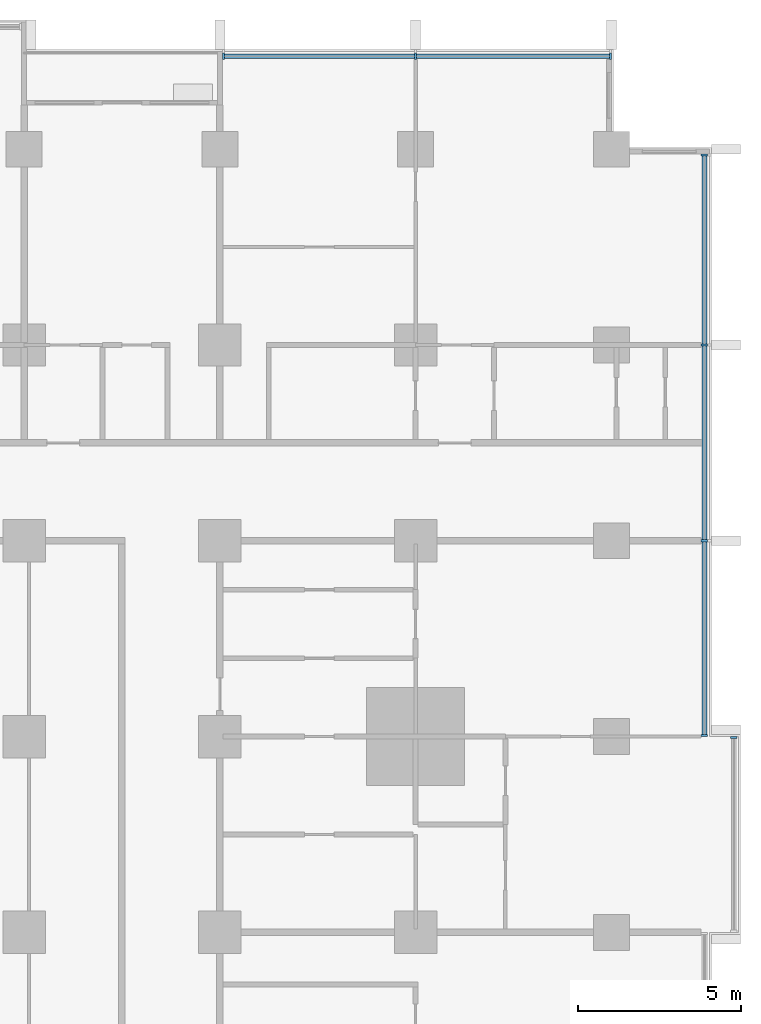
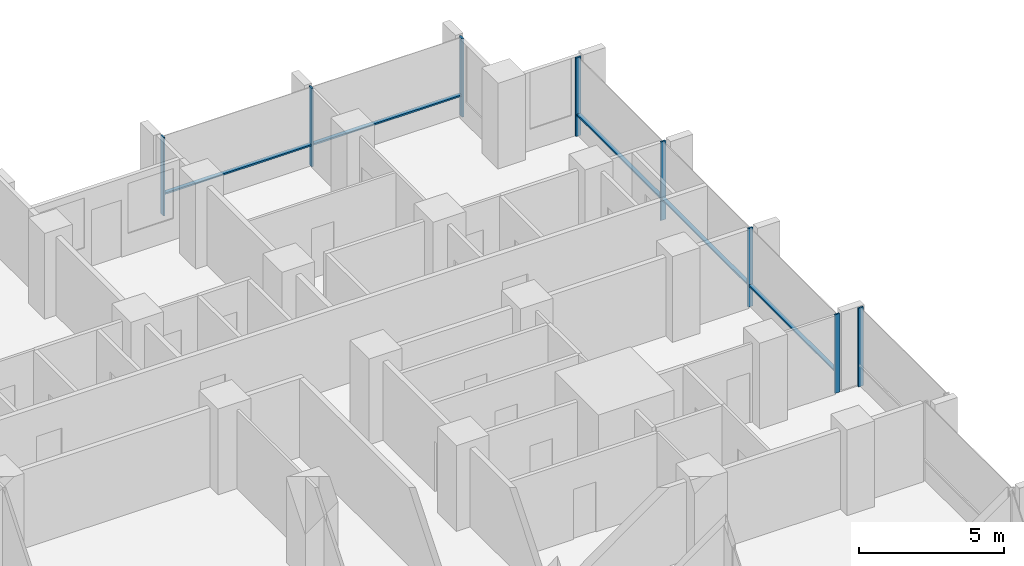
# One storey, part 5 of 18: 13 members, 3 elements without a shape of their own.
"""IFC4 building model written with IfcOpenShell, lengths in metres."""

import ifcopenshell
import ifcopenshell.guid

model = None  # the IFC model being written
_history = None  # IfcOwnerHistory: only IFC2X3 demands one
_inside = {}  # id of a spatial element -> (the spatial element, [elements in it])
_under = {}  # id of a project, library or spatial element -> (it, [spatial elements below it])
_declared = {}  # id of a project -> (the project, [libraries it declares])
_typed = {}  # id of a type object -> (the type object, [elements of that type])
_made_of = {}  # id of a material, layer set ... -> (it, [elements and type objects made of it])


def new_model(schema):
    """Start an empty IFC model of exactly this schema.

    Asked for "IFC4X3", IfcOpenShell would pick the latest addendum, in which some entities
    have other attributes; the version numbers below select the first issue.
    IFC2X3 requires an IfcOwnerHistory on every rooted entity: one is made here for all.
    """
    global model, _history
    if schema == "IFC4X3":
        model = ifcopenshell.file(schema_version=(4, 3, 0, 0))
    else:
        model = ifcopenshell.file(schema=schema)
    _inside.clear()
    _under.clear()
    _declared.clear()
    _typed.clear()
    _made_of.clear()
    _history = None
    if model.schema == "IFC2X3":
        org = make("IfcOrganization", Name="unknown")
        user = make(
            "IfcPersonAndOrganization",
            ThePerson=make("IfcPerson", FamilyName="unknown"),
            TheOrganization=org,
        )
        app = make(
            "IfcApplication",
            ApplicationDeveloper=org,
            Version="unknown",
            ApplicationFullName="unknown",
            ApplicationIdentifier="unknown",
        )
        _history = make(
            "IfcOwnerHistory",
            OwningUser=user,
            OwningApplication=app,
            ChangeAction="ADDED",
            CreationDate=0,
        )
    return model


def make(cls, **values):
    """One entity of the class cls with the attributes given. An attribute that is None is left unset."""
    return model.create_entity(
        cls, **{name: value for name, value in values.items() if value is not None}
    )


def rooted(cls, **values):
    """An entity with a GlobalId (a new one), such as an element, a storey or a relation."""
    return make(cls, GlobalId=ifcopenshell.guid.new(), OwnerHistory=_history, **values)


def si_unit(unit_type, name, prefix=None):
    """IfcSIUnit, for example si_unit("LENGTHUNIT", "METRE", prefix="MILLI")."""
    return make("IfcSIUnit", UnitType=unit_type, Prefix=prefix, Name=name)


def assignment(units):
    """IfcUnitAssignment: the units of a project."""
    return None if units is None else make("IfcUnitAssignment", Units=units)


def point(xyz):
    """IfcCartesianPoint."""
    return None if xyz is None else make("IfcCartesianPoint", Coordinates=xyz)


def direction(xyz):
    """IfcDirection."""
    return None if xyz is None else make("IfcDirection", DirectionRatios=xyz)


def frame(location, z_axis=None, x_axis=None):
    """IfcAxis2Placement3D, a coordinate frame: its origin and axes. An axis left out is left unset."""
    return make(
        "IfcAxis2Placement3D",
        Location=point(location),
        Axis=direction(z_axis),
        RefDirection=direction(x_axis),
    )


def frame_2d(location, x_axis=None):
    """IfcAxis2Placement2D, a coordinate frame in the plane: its origin and x axis."""
    return make(
        "IfcAxis2Placement2D", Location=point(location), RefDirection=direction(x_axis)
    )


def origin():
    """The frame at (0, 0, 0) with its axes left unset."""
    return frame((0.0, 0.0, 0.0))


def origin_2d():
    """The frame at (0, 0) in the plane with its x axis left unset."""
    return frame_2d((0.0, 0.0))


def place(relative_to, where):
    """IfcLocalPlacement: puts the frame where relative to a parent placement (None: the world)."""
    return make(
        "IfcLocalPlacement", PlacementRelTo=relative_to, RelativePlacement=where
    )


def context(
    kind, dimensions, precision=None, world=None, true_north=None, identifier=None
):
    """IfcGeometricRepresentationContext, for example the 3D "Model" context."""
    return make(
        "IfcGeometricRepresentationContext",
        ContextIdentifier=identifier,
        ContextType=kind,
        CoordinateSpaceDimension=dimensions,
        Precision=precision,
        WorldCoordinateSystem=world,
        TrueNorth=true_north,
    )


def subcontext(parent, identifier, kind, view, scale=None):
    """IfcGeometricRepresentationSubContext, for example "Body" below "Model"."""
    return make(
        "IfcGeometricRepresentationSubContext",
        ContextIdentifier=identifier,
        ContextType=kind,
        ParentContext=parent,
        TargetScale=scale,
        TargetView=view,
    )


def project(units=None, contexts=None):
    """IfcProject with its units and contexts."""
    return rooted(
        "IfcProject",
        Name="project",
        RepresentationContexts=contexts,
        UnitsInContext=assignment(units),
    )


def spatial(cls, under=None, at=None, **own):
    """A site, building, storey or space (cls), placed at a placement, below another one or the project."""
    s = rooted(cls, ObjectPlacement=at, **own)
    if under is not None:
        _under.setdefault(under.id(), (under, []))[1].append(s)
    return s


def profile(cls, at=None, kind="AREA", **sizes):
    """A parametric profile (cls). Its sizes go by their IFC names, for example OverallWidth=200.0."""
    return make(cls, ProfileType=kind, Position=at, **sizes)


def rectangle(**sizes):
    """IfcRectangleProfileDef."""
    return profile("IfcRectangleProfileDef", **sizes)


def extrude(swept, where, along, depth):
    """IfcExtrudedAreaSolid: the profile swept, set in the frame where, extruded along a direction by depth."""
    return make(
        "IfcExtrudedAreaSolid",
        SweptArea=swept,
        Position=where,
        ExtrudedDirection=direction(along),
        Depth=depth,
    )


def shape(context_of_items, identifier, shape_type, items):
    """IfcShapeRepresentation: the items that make up one representation, for example the "Body"."""
    return make(
        "IfcShapeRepresentation",
        ContextOfItems=context_of_items,
        RepresentationIdentifier=identifier,
        RepresentationType=shape_type,
        Items=items,
    )


def material(Name=None, Category=None):
    """IfcMaterial."""
    return make("IfcMaterial", Name=Name, Category=Category)


def material_profile(
    of_material, cross_section, Name=None, Category=None, Priority=None
):
    """IfcMaterialProfile: a cross section and its material."""
    return make(
        "IfcMaterialProfile",
        Name=Name,
        Material=of_material,
        Profile=cross_section,
        Priority=Priority,
        Category=Category,
    )


def profile_set(profiles, Name=None, composite=None):
    """IfcMaterialProfileSet."""
    return make(
        "IfcMaterialProfileSet",
        Name=Name,
        MaterialProfiles=profiles,
        CompositeProfile=composite,
    )


def made_of(thing, what):
    """Note that an element or type object is made of a material, layer set ...; save() writes the relation."""
    if what is not None:
        _made_of.setdefault(what.id(), (what, []))[1].append(thing)
    return thing


def type_object(cls, material=None, **own):
    """A type object (cls), such as IfcWallType, which elements share."""
    return made_of(rooted(cls, **own), material)


def element(
    cls,
    number,
    at=None,
    inside=None,
    cuts=None,
    type_object=None,
    material=None,
    context=None,
    identifier="Body",
    shape_type=None,
    held_by="IfcProductDefinitionShape",
    body=None,
    shapes=None,
    **own,
):
    """One element of the class cls, such as IfcWall. Its Tag is "e" and its number.

    at: its placement. inside: the storey or other place that contains it. cuts: it is an
    opening in that element (IfcRelVoidsElement). A single representation is given by context,
    identifier, shape_type and body (its items); several are given by shapes. held_by: the class
    of the entity that holds the representations. save() writes the other relations.
    """
    e = rooted(cls, Tag="e%d" % number, ObjectPlacement=at, **own)
    if body is not None:
        shapes = [shape(context, identifier, shape_type, body)]
    if shapes is not None:
        e.Representation = make(held_by, Representations=shapes)
    if inside is not None:
        _inside.setdefault(inside.id(), (inside, []))[1].append(e)
    if cuts is not None:
        rooted(
            "IfcRelVoidsElement", RelatingBuildingElement=cuts, RelatedOpeningElement=e
        )
    if type_object is not None:
        _typed.setdefault(type_object.id(), (type_object, []))[1].append(e)
    return made_of(e, material)


def aggregate(whole, parts):
    """IfcRelAggregates: a whole, such as a stair, and the parts it consists of."""
    return rooted("IfcRelAggregates", RelatingObject=whole, RelatedObjects=parts)


def save(model, path):
    """Write the relations noted so far, then the file.

    IfcRelAggregates (storeys below a building ...), IfcRelContainedInSpatialStructure (elements
    in a storey), IfcRelDefinesByType, IfcRelAssociatesMaterial and IfcRelDeclares: one each for
    every whole, place, type object, material and project.
    """
    for whole, parts in _under.values():
        aggregate(whole, parts)
    for where, things in _inside.values():
        rooted(
            "IfcRelContainedInSpatialStructure",
            RelatedElements=things,
            RelatingStructure=where,
        )
    for kind, things in _typed.values():
        rooted("IfcRelDefinesByType", RelatedObjects=things, RelatingType=kind)
    for what, things in _made_of.values():
        rooted("IfcRelAssociatesMaterial", RelatedObjects=things, RelatingMaterial=what)
    for by, libraries in _declared.values():
        rooted("IfcRelDeclares", RelatingContext=by, RelatedDefinitions=libraries)
    model.write(path)


model = new_model("IFC4")

# Units and contexts
model_context = context("Model", 3, precision=1e-05, world=origin(), true_north=direction((0.0, 1.0)))
body_context = subcontext(model_context, "Body", "Model", "MODEL_VIEW")
ifc_project = project(units=[si_unit("LENGTHUNIT", "METRE"), si_unit("AREAUNIT", "SQUARE_METRE"), si_unit("VOLUMEUNIT", "CUBIC_METRE"), si_unit("PLANEANGLEUNIT", "RADIAN"), si_unit("MASSUNIT", "GRAM", prefix="KILO")], contexts=[model_context])

# Site, building, storey
site_placement = place(None, origin())
site = spatial("IfcSite", under=ifc_project, at=site_placement, CompositionType="ELEMENT")
building_placement = place(site_placement, origin())
building = spatial("IfcBuilding", under=site, at=building_placement, Name="Finial Court Residences", CompositionType="ELEMENT")
storey_placement = place(building_placement, frame((0.0, 0.0, 39.699951171875)))
storey = spatial("IfcBuildingStorey", under=building, at=storey_placement, Name="L08", CompositionType="ELEMENT", Elevation=39.699951171875)

# Curtain wall, members
ifc_material = material(Name="Bronze anodised aluminium", Category="aluminium")
curtain_wall_type = type_object("IfcCurtainWallType", Name="Unitised curtain wall, lower and middle zones", PredefinedType="NOTDEFINED", material=ifc_material)
curtain_wall_1_placement = place(storey_placement, origin())
curtain_wall_1 = element("IfcCurtainWall", 1, at=curtain_wall_1_placement, inside=storey, type_object=curtain_wall_type, Name="E-L08-CW-N4", PredefinedType="NOTDEFINED")
ifc_material_profile_1 = material_profile(ifc_material, rectangle(XDim=0.199951171875, YDim=0.06494140625, at=origin_2d()), Name="CW1 mullion 65 x 200")
ifc_profile_set_1 = profile_set([ifc_material_profile_1], Name="Bronze anodised aluminium")
member_type_1 = type_object("IfcMemberType", Name="CW1 mullion 65 x 200", PredefinedType="MULLION", material=ifc_profile_set_1)
member_1_placement = place(storey_placement, frame((10.607421875, 28.35009765625, 0.0), z_axis=(0.0, 0.0, 1.0), x_axis=(0.0, 1.0, 0.0)))
member_1 = element("IfcMember", 2, at=member_1_placement, type_object=member_type_1, Name="CW1 mullion 1", PredefinedType="MULLION", context=body_context, shape_type="SweptSolid", body=[
    extrude(rectangle(XDim=0.199951171875, YDim=0.06494140625, at=origin_2d()), origin(), (0.0, 0.0, 1.0), 3.300048828125),
])
member_2_placement = place(storey_placement, frame((16.5, 28.35009765625, 0.0), z_axis=(0.0, 0.0, 1.0), x_axis=(0.0, 1.0, 0.0)))
member_2 = element("IfcMember", 3, at=member_2_placement, type_object=member_type_1, Name="CW1 mullion 2", PredefinedType="MULLION", context=body_context, shape_type="SweptSolid", body=[
    extrude(rectangle(XDim=0.199951171875, YDim=0.06494140625, at=origin_2d()), origin(), (0.0, 0.0, 1.0), 3.300048828125),
])
member_3_placement = place(storey_placement, frame((22.467529296875, 28.35009765625, 0.0), z_axis=(0.0, 0.0, 1.0), x_axis=(0.0, 1.0, 0.0)))
member_3 = element("IfcMember", 4, at=member_3_placement, type_object=member_type_1, Name="CW1 mullion 3", PredefinedType="MULLION", context=body_context, shape_type="SweptSolid", body=[
    extrude(rectangle(XDim=0.199951171875, YDim=0.06494140625, at=origin_2d()), origin(), (0.0, 0.0, 1.0), 3.300048828125),
])

# Curtain wall, member
curtain_wall_2_placement = place(storey_placement, origin())
curtain_wall_2 = element("IfcCurtainWall", 5, at=curtain_wall_2_placement, inside=storey, type_object=curtain_wall_type, Name="E-L08-CW-E6", PredefinedType="NOTDEFINED")
member_4_placement = place(storey_placement, frame((26.25, 7.467529296875, 0.0), z_axis=(0.0, 0.0, 1.0), x_axis=(-1.0, 0.0, 0.0)))
member_4 = element("IfcMember", 6, at=member_4_placement, type_object=member_type_1, Name="CW1 mullion 2", PredefinedType="MULLION", context=body_context, shape_type="SweptSolid", body=[
    extrude(rectangle(XDim=0.199951171875, YDim=0.06494140625, at=origin_2d()), origin(), (0.0, 0.0, 1.0), 3.300048828125),
])
aggregate(curtain_wall_2, [member_4])

# Curtain wall, members
curtain_wall_3_placement = place(storey_placement, origin())
curtain_wall_3 = element("IfcCurtainWall", 7, at=curtain_wall_3_placement, inside=storey, type_object=curtain_wall_type, Name="E-L08-CW-E7", PredefinedType="NOTDEFINED")
member_5_placement = place(storey_placement, frame((25.35009765625, 7.532470703125, 0.0), z_axis=(0.0, 0.0, 1.0), x_axis=(-1.0, 0.0, 0.0)))
member_5 = element("IfcMember", 8, at=member_5_placement, type_object=member_type_1, Name="CW1 mullion 1", PredefinedType="MULLION", context=body_context, shape_type="SweptSolid", body=[
    extrude(rectangle(XDim=0.199951171875, YDim=0.06494140625, at=origin_2d()), origin(), (0.0, 0.0, 1.0), 3.300048828125),
])
member_6_placement = place(storey_placement, frame((25.35009765625, 13.5, 0.0), z_axis=(0.0, 0.0, 1.0), x_axis=(-1.0, 0.0, 0.0)))
member_6 = element("IfcMember", 9, at=member_6_placement, type_object=member_type_1, Name="CW1 mullion 2", PredefinedType="MULLION", context=body_context, shape_type="SweptSolid", body=[
    extrude(rectangle(XDim=0.199951171875, YDim=0.06494140625, at=origin_2d()), origin(), (0.0, 0.0, 1.0), 3.300048828125),
])
member_7_placement = place(storey_placement, frame((25.35009765625, 19.5, 0.0), z_axis=(0.0, 0.0, 1.0), x_axis=(-1.0, 0.0, 0.0)))
member_7 = element("IfcMember", 10, at=member_7_placement, type_object=member_type_1, Name="CW1 mullion 3", PredefinedType="MULLION", context=body_context, shape_type="SweptSolid", body=[
    extrude(rectangle(XDim=0.199951171875, YDim=0.06494140625, at=origin_2d()), origin(), (0.0, 0.0, 1.0), 3.300048828125),
])
member_8_placement = place(storey_placement, frame((25.35009765625, 25.3173828125, 0.0), z_axis=(0.0, 0.0, 1.0), x_axis=(-1.0, 0.0, 0.0)))
member_8 = element("IfcMember", 11, at=member_8_placement, type_object=member_type_1, Name="CW1 mullion 4", PredefinedType="MULLION", context=body_context, shape_type="SweptSolid", body=[
    extrude(rectangle(XDim=0.199951171875, YDim=0.06494140625, at=origin_2d()), origin(), (0.0, 0.0, 1.0), 3.300048828125),
])

# Member
ifc_material_profile_2 = material_profile(ifc_material, rectangle(XDim=0.14990234375, YDim=0.06494140625, at=origin_2d()), Name="CW1 transom 65 x 150")
ifc_profile_set_2 = profile_set([ifc_material_profile_2], Name="Bronze anodised aluminium")
member_type_2 = type_object("IfcMemberType", Name="CW1 transom 65 x 150", PredefinedType="USERDEFINED", material=ifc_profile_set_2)
member_9_placement = place(storey_placement, frame((10.639892578125, 28.35009765625, 0.900146484375), z_axis=(1.0, 0.0, 0.0), x_axis=(0.0, 1.0, 0.0)))
member_9 = element("IfcMember", 12, at=member_9_placement, type_object=member_type_2, Name="CW1 transom 1.1", ObjectType="TRANSOM", PredefinedType="USERDEFINED", context=body_context, shape_type="SweptSolid", body=[
    extrude(rectangle(XDim=0.14990234375, YDim=0.06494140625, at=origin_2d()), origin(), (0.0, 0.0, 1.0), 5.82763671875),
])

member_10_placement = place(storey_placement, frame((16.532470703125, 28.35009765625, 0.900146484375), z_axis=(1.0, 0.0, 0.0), x_axis=(0.0, 1.0, 0.0)))
member_10 = element("IfcMember", 13, at=member_10_placement, type_object=member_type_2, Name="CW1 transom 2.1", ObjectType="TRANSOM", PredefinedType="USERDEFINED", context=body_context, shape_type="SweptSolid", body=[
    extrude(rectangle(XDim=0.14990234375, YDim=0.06494140625, at=origin_2d()), origin(), (0.0, 0.0, 1.0), 5.902587890625),
])

aggregate(curtain_wall_1, [member_1, member_2, member_3, member_9, member_10])

member_11_placement = place(storey_placement, frame((25.35009765625, 7.56494140625, 0.900146484375), z_axis=(0.0, 1.0, 0.0), x_axis=(-1.0, 0.0, 0.0)))
member_11 = element("IfcMember", 14, at=member_11_placement, type_object=member_type_2, Name="CW1 transom 1.1", ObjectType="TRANSOM", PredefinedType="USERDEFINED", context=body_context, shape_type="SweptSolid", body=[
    extrude(rectangle(XDim=0.14990234375, YDim=0.06494140625, at=origin_2d()), origin(), (0.0, 0.0, 1.0), 5.902587890625),
])

member_12_placement = place(storey_placement, frame((25.35009765625, 13.532470703125, 0.900146484375), z_axis=(0.0, 1.0, 0.0), x_axis=(-1.0, 0.0, 0.0)))
member_12 = element("IfcMember", 15, at=member_12_placement, type_object=member_type_2, Name="CW1 transom 2.1", ObjectType="TRANSOM", PredefinedType="USERDEFINED", context=body_context, shape_type="SweptSolid", body=[
    extrude(rectangle(XDim=0.14990234375, YDim=0.06494140625, at=origin_2d()), origin(), (0.0, 0.0, 1.0), 5.93505859375),
])

member_13_placement = place(storey_placement, frame((25.35009765625, 19.532470703125, 0.900146484375), z_axis=(0.0, 1.0, 0.0), x_axis=(-1.0, 0.0, 0.0)))
member_13 = element("IfcMember", 16, at=member_13_placement, type_object=member_type_2, Name="CW1 transom 3.1", ObjectType="TRANSOM", PredefinedType="USERDEFINED", context=body_context, shape_type="SweptSolid", body=[
    extrude(rectangle(XDim=0.14990234375, YDim=0.06494140625, at=origin_2d()), origin(), (0.0, 0.0, 1.0), 5.75244140625),
])

aggregate(curtain_wall_3, [member_5, member_6, member_7, member_8, member_11, member_12, member_13])

save(model, "model.ifc")
